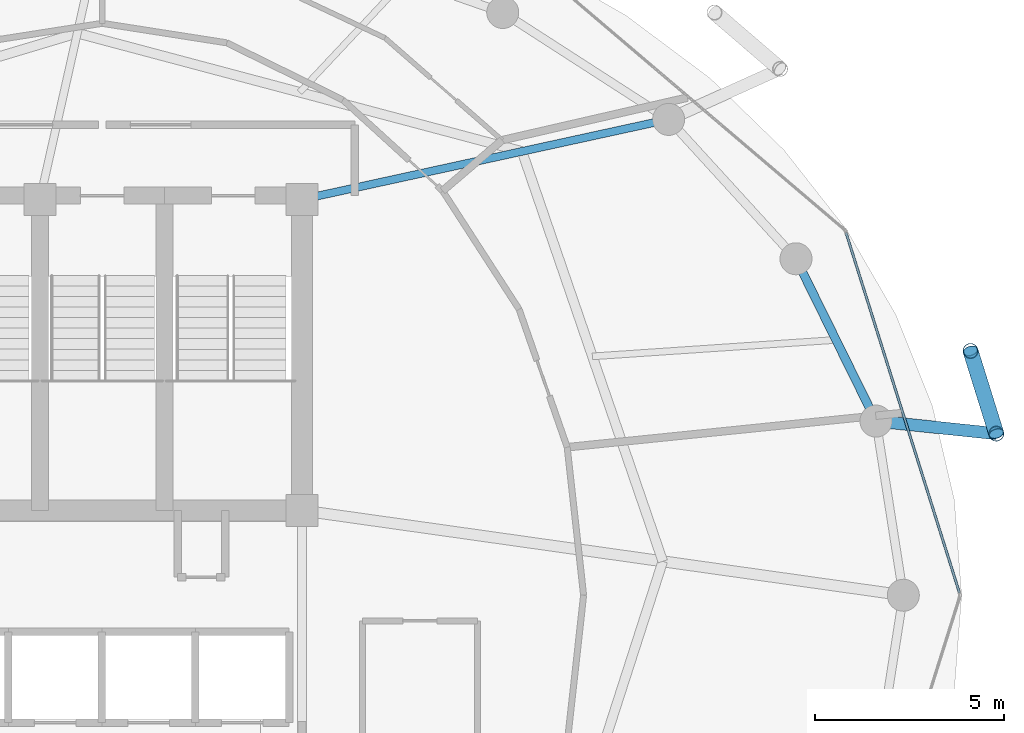
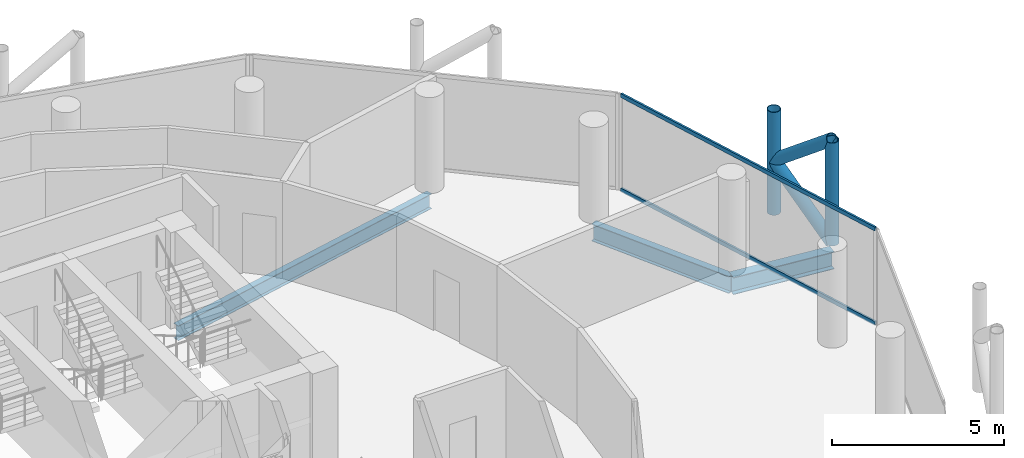
# One storey, part 16 of 27: 6 members, 3 beams, 1 element without a shape of its own.
"""IFC4 building model written with IfcOpenShell, lengths in metres."""

from ifc_helpers import new_model, si_unit, direction, frame, origin, origin_2d, place, context, subcontext, project, spatial, hollow_rectangle, hollow_circle, i_section, extrude, material, layer, layer_set, material_profile, profile_set, type_object, element, aggregate, save


model = new_model("IFC4")

# Units and contexts
model_context = context("Model", 3, precision=1e-05, world=origin(), true_north=direction((0.0, 1.0)))
body_context = subcontext(model_context, "Body", "Model", "MODEL_VIEW")
ifc_project = project(units=[si_unit("LENGTHUNIT", "METRE"), si_unit("AREAUNIT", "SQUARE_METRE"), si_unit("VOLUMEUNIT", "CUBIC_METRE"), si_unit("PLANEANGLEUNIT", "RADIAN"), si_unit("MASSUNIT", "GRAM", prefix="KILO")], contexts=[model_context])

# Site, building, storey
site_placement = place(None, origin())
site = spatial("IfcSite", under=ifc_project, at=site_placement, CompositionType="ELEMENT")
building_placement = place(site_placement, origin())
building = spatial("IfcBuilding", under=site, at=building_placement, Name="Nuhasar Tower", CompositionType="ELEMENT")
storey_placement = place(building_placement, frame((0.0, 0.0, 215.449951171875)))
storey = spatial("IfcBuildingStorey", under=building, at=storey_placement, Name="L52", CompositionType="ELEMENT", Elevation=215.449951171875)

# Beams
ifc_material_1 = material(Name="Steel S355", Category="steel")
ifc_material_profile_1 = material_profile(ifc_material_1, i_section(OverallWidth=0.208984375, OverallDepth=0.528076171875, WebThickness=0.009521484375, FlangeThickness=0.01318359375, at=origin_2d()), Name="W21X55")
ifc_profile_set_1 = profile_set([ifc_material_profile_1], Name="Steel S355")
beam_type_1 = type_object("IfcBeamType", Name="BM-RAD-W21X55", PredefinedType="BEAM", material=ifc_profile_set_1)
beam_1_placement = place(storey_placement, frame((44.300048828125, 37.300048828125, -0.50390625), z_axis=(0.977014275474, 0.213173885644, 0.0), x_axis=(-0.213173885644, 0.977014275474, 0.0)))
element("IfcBeam", 1, at=beam_1_placement, inside=storey, type_object=beam_type_1, Name="L52 Radial Floor Girder 05", PredefinedType="BEAM", context=body_context, shape_type="SweptSolid", body=[
    extrude(i_section(OverallWidth=0.208984375, OverallDepth=0.528076171875, WebThickness=0.009521484375, FlangeThickness=0.01318359375, at=origin_2d()), origin(), (0.0, 0.0, 1.0), 9.95458984375),
])
ifc_material_profile_2 = material_profile(ifc_material_1, i_section(OverallWidth=0.22802734375, OverallDepth=0.60791015625, WebThickness=0.01123046875, FlangeThickness=0.017333984375, at=origin_2d()), Name="W24X76")
ifc_profile_set_2 = profile_set([ifc_material_profile_2], Name="Steel S355")
beam_type_2 = type_object("IfcBeamType", Name="BM-RING-W24X76", PredefinedType="SPANDREL", material=ifc_profile_set_2)
beam_2_placement = place(storey_placement, frame((59.52587890625, 31.419921875, -0.5439453125), z_axis=(-0.442242604409, 0.896895467067, 0.0), x_axis=(-0.896895467067, -0.442242604409, 0.0)))
element("IfcBeam", 2, at=beam_2_placement, inside=storey, type_object=beam_type_2, Name="L52 Perimeter Ring Spandrel 02", PredefinedType="SPANDREL", context=body_context, shape_type="SweptSolid", body=[
    extrude(i_section(OverallWidth=0.22802734375, OverallDepth=0.60791015625, WebThickness=0.01123046875, FlangeThickness=0.017333984375, at=origin_2d()), origin(), (0.0, 0.0, 1.0), 4.800048828125),
])
ifc_material_profile_3 = material_profile(ifc_material_1, i_section(OverallWidth=0.323974609375, OverallDepth=0.611083984375, WebThickness=0.0126953125, FlangeThickness=0.01904296875, at=origin_2d()), Name="W24X104")
ifc_profile_set_3 = profile_set([ifc_material_profile_3], Name="Steel S355")
beam_type_3 = type_object("IfcBeamType", Name="BM-TIE-W24X104", PredefinedType="BEAM", material=ifc_profile_set_3)
beam_3_placement = place(storey_placement, frame((59.52587890625, 31.419921875, -0.544921875), z_axis=(0.994571111079, -0.10405914187, 0.0), x_axis=(0.10405914187, 0.994571111079, 0.0)))
element("IfcBeam", 3, at=beam_3_placement, inside=storey, type_object=beam_type_3, Name="L52 Exoskeleton Node Tie Beam 01", PredefinedType="BEAM", context=body_context, shape_type="SweptSolid", body=[
    extrude(i_section(OverallWidth=0.323974609375, OverallDepth=0.611083984375, WebThickness=0.0126953125, FlangeThickness=0.01904296875, at=origin_2d()), origin(), (0.0, 0.0, 1.0), 3.20947265625),
])

# Curtain wall, members
ifc_material_2 = material(Name="Aluminium 6063-T6", Category="aluminium")
ifc_layer = layer(ifc_material_2, 0.18994140625)
ifc_layer_set = layer_set([ifc_layer], Name="Aluminium 6063-T6")
curtain_wall_type = type_object("IfcCurtainWallType", Name="CW-Z3-RES", PredefinedType="NOTDEFINED", material=ifc_layer_set)
curtain_wall_placement = place(storey_placement, origin())
curtain_wall = element("IfcCurtainWall", 4, at=curtain_wall_placement, inside=storey, type_object=curtain_wall_type, Name="L52 Unitised Curtain Wall 01", PredefinedType="NOTDEFINED")
ifc_material_profile_4 = material_profile(ifc_material_2, hollow_rectangle(XDim=0.06494140625, YDim=0.139892578125, WallThickness=0.00439453125, at=origin_2d()), Name="CWT-4")
ifc_profile_set_4 = profile_set([ifc_material_profile_4], Name="Aluminium 6063-T6")
member_type_1 = type_object("IfcMemberType", Name="CW-TRN-S4", PredefinedType="USERDEFINED", material=ifc_profile_set_4)
member_1_placement = place(storey_placement, frame((61.740478515625, 26.862060546875, 0.032470703125), z_axis=(-0.300437373386, 0.953801543652, 0.0), x_axis=(-0.953801543652, -0.300437373386, 0.0)))
member_1 = element("IfcMember", 5, at=member_1_placement, type_object=member_type_1, Name="CW-Z3 transom 1.1", ObjectType="TRANSOM", PredefinedType="USERDEFINED", context=body_context, shape_type="SweptSolid", body=[
    extrude(hollow_rectangle(XDim=0.06494140625, YDim=0.139892578125, WallThickness=0.00439453125, at=origin_2d()), origin(), (0.0, 0.0, 1.0), 10.018798828125),
])
member_2_placement = place(storey_placement, frame((61.740478515625, 26.862060546875, 3.37744140625), z_axis=(-0.300437373386, 0.953801543652, 0.0), x_axis=(-0.953801543652, -0.300437373386, 0.0)))
member_2 = element("IfcMember", 6, at=member_2_placement, type_object=member_type_1, Name="CW-Z3 transom 1.2", ObjectType="TRANSOM", PredefinedType="USERDEFINED", context=body_context, shape_type="SweptSolid", body=[
    extrude(hollow_rectangle(XDim=0.06494140625, YDim=0.139892578125, WallThickness=0.00439453125, at=origin_2d()), origin(), (0.0, 0.0, 1.0), 10.018798828125),
])
aggregate(curtain_wall, [member_1, member_2])

# Members
ifc_material_3 = material(Name="Steel S460", Category="steel")
ifc_material_profile_5 = material_profile(ifc_material_3, hollow_circle(Radius=0.203125, WallThickness=0.01904296875, at=origin_2d()), Name="HSS406.4X19.1")
ifc_profile_set_5 = profile_set([ifc_material_profile_5], Name="Steel S460")
member_type_2 = type_object("IfcMemberType", Name="EXO-BRONZE-406", PredefinedType="BRACE", material=ifc_profile_set_5)
for number, where, z_axis, x_axis, name in (
    (7, (62.718017578125, 31.0859375, 0.0), (0.0, 0.0, 1.0), (1.0, 0.0, 0.0), "L52 Exoskeleton Chord Column EC-01A"),
    (8, (62.032958984375, 33.281005859375, 0.0), (0.0, 0.0, 1.0), (1.0, 0.0, 0.0), "L52 Exoskeleton Chord Column EC-01B"),
):
    element("IfcMember", number, at=place(storey_placement, frame(where, z_axis=z_axis, x_axis=x_axis)), inside=storey, type_object=member_type_2, Name=name, PredefinedType="BRACE", context=body_context, shape_type="SweptSolid", body=[
        extrude(hollow_circle(Radius=0.203125, WallThickness=0.01904296875, at=origin_2d()), origin(), (0.0, 0.0, 1.0), 3.650146484375),
    ])
member_3_placement = place(storey_placement, frame((62.718017578125, 31.0859375, 0.0), z_axis=(-0.233357911711, 0.747726651531, 0.621650174641), x_axis=(-0.954591372974, -0.297918295247, 0.0)))
element("IfcMember", 9, at=member_3_placement, inside=storey, type_object=member_type_2, Name="L52 Bronze Diagrid Brace W1-01", PredefinedType="BRACE", context=body_context, shape_type="SweptSolid", body=[
    extrude(hollow_circle(Radius=0.203125, WallThickness=0.01904296875, at=origin_2d()), origin(), (0.0, 0.0, 1.0), 2.935546875),
])
member_4_placement = place(storey_placement, frame((62.032958984375, 33.281005859375, 1.824951171875), z_axis=(0.233345847503, -0.747687995332, 0.621701195985), x_axis=(0.954591372974, 0.297918295247, 0.0)))
element("IfcMember", 10, at=member_4_placement, inside=storey, type_object=member_type_2, Name="L52 Bronze Diagrid Brace W2-01", PredefinedType="BRACE", context=body_context, shape_type="SweptSolid", body=[
    extrude(hollow_circle(Radius=0.203125, WallThickness=0.01904296875, at=origin_2d()), origin(), (0.0, 0.0, 1.0), 2.935791015625),
])

save(model, "model.ifc")
